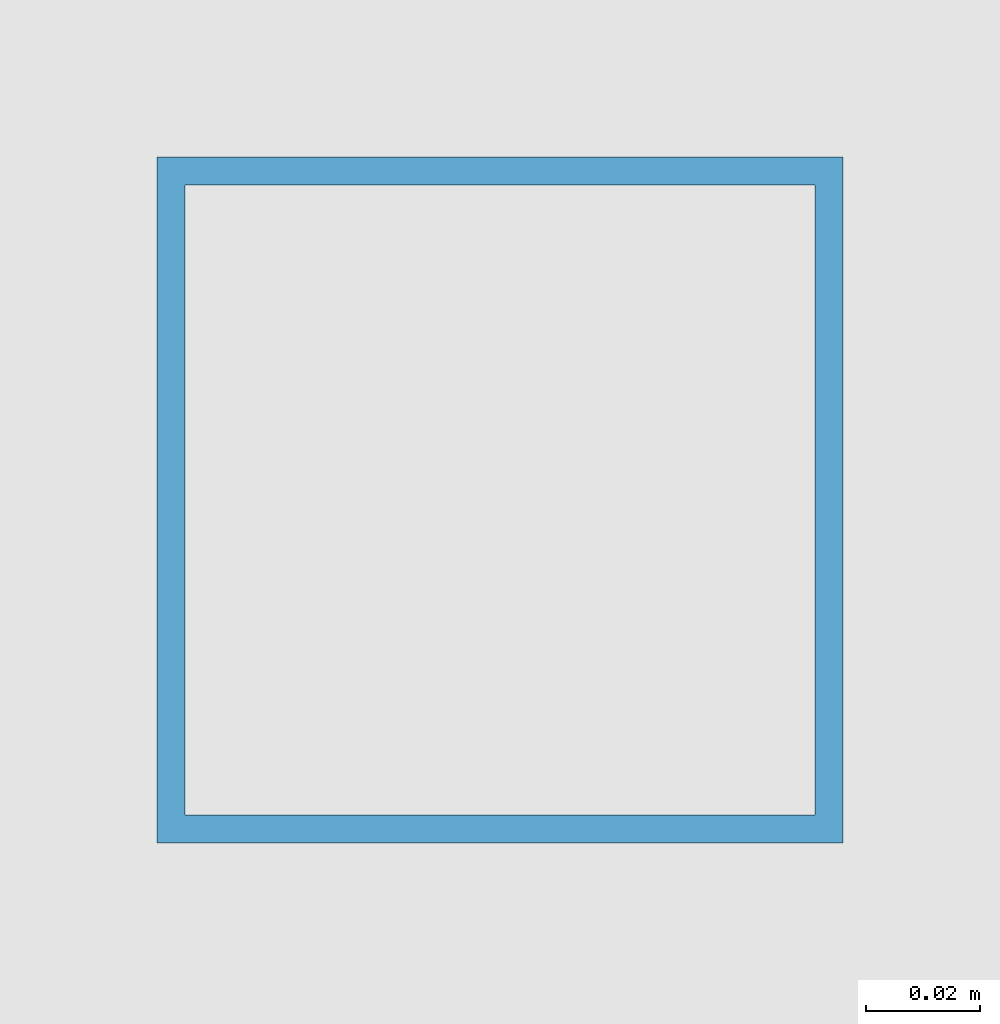
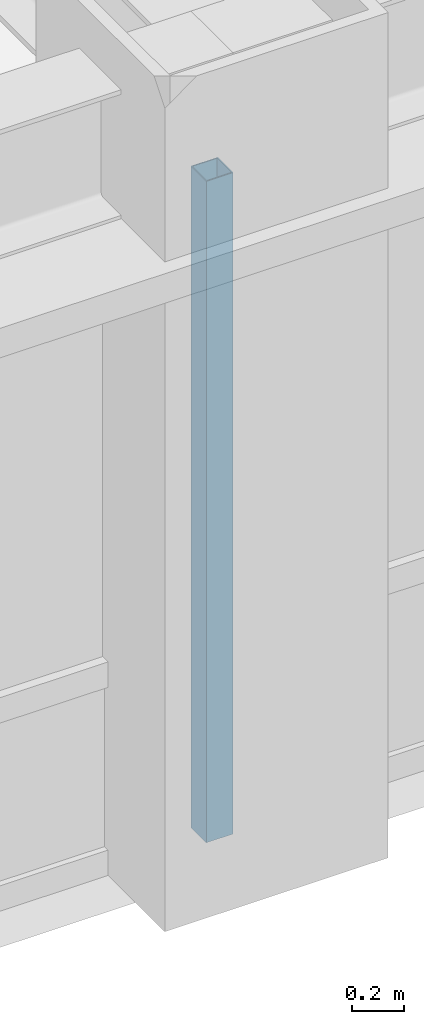
# One storey, part 4 of 29: 1 member, 1 element without a shape of its own.
"""IFC4 building model written with IfcOpenShell, lengths in metres."""

from ifc_helpers import new_model, si_unit, direction, frame, origin, origin_2d, place, context, subcontext, project, spatial, hollow_rectangle, extrude, source, transform, mapped, material, material_profile, profile_set, type_object, element, aggregate, save


model = new_model("IFC4")

# Units and contexts
model_context = context("Model", 3, precision=1e-05, world=origin(), true_north=direction((0.0, 1.0)))
body_context = subcontext(model_context, "Body", "Model", "MODEL_VIEW")
ifc_project = project(units=[si_unit("LENGTHUNIT", "METRE"), si_unit("AREAUNIT", "SQUARE_METRE"), si_unit("VOLUMEUNIT", "CUBIC_METRE"), si_unit("PLANEANGLEUNIT", "RADIAN"), si_unit("MASSUNIT", "GRAM", prefix="KILO")], contexts=[model_context])

# Site, building, storey
site_placement = place(None, origin())
site = spatial("IfcSite", under=ifc_project, at=site_placement, CompositionType="ELEMENT")
building_placement = place(site_placement, origin())
building = spatial("IfcBuilding", under=site, at=building_placement, Name="Khorayat Bourse Tower", CompositionType="ELEMENT")
storey_placement = place(building_placement, frame((0.0, 0.0, 243.10009765625)))
storey = spatial("IfcBuildingStorey", under=building, at=storey_placement, Name="L57", CompositionType="ELEMENT", Elevation=243.10009765625)

# Curtain wall, member
ifc_material = material(Name="Aluminium EN AW-6063 T6", Category="aluminium")
curtain_wall_type = type_object("IfcCurtainWallType", Name="CW-SYS-03", PredefinedType="NOTDEFINED", material=ifc_material)
curtain_wall_placement = place(storey_placement, origin())
curtain_wall = element("IfcCurtainWall", 1, at=curtain_wall_placement, inside=storey, type_object=curtain_wall_type, Name="L57 Curtain Wall CW-L57-S1", PredefinedType="NOTDEFINED")
ifc_material_profile = material_profile(ifc_material, hollow_rectangle(XDim=0.1201171875, YDim=0.1201171875, WallThickness=0.0048828125, at=origin_2d()), Name="ALU 120x120x5")
ifc_profile_set = profile_set([ifc_material_profile], Name="Aluminium EN AW-6063 T6")
member_type = type_object("IfcMemberType", Name="CWM-VERT-120", PredefinedType="MULLION", material=ifc_profile_set)
shared_shape = source(origin(), body_context, "Body", "SweptSolid", [
    extrude(hollow_rectangle(XDim=0.1201171875, YDim=0.1201171875, WallThickness=0.0048828125, at=origin_2d()), origin(), (0.0, 0.0, 1.0), 3.1298828125),
])
member_placement = place(storey_placement, frame((0.0, -30.0, 0.0), z_axis=(0.0, 0.0, 1.0), x_axis=(0.0, 1.0, 0.0)))
member = element("IfcMember", 2, at=member_placement, type_object=member_type, Name="CW-L57-S1 Vertical Mullion 2", PredefinedType="MULLION", context=body_context, shape_type="MappedRepresentation", body=[
    mapped(shared_shape, transform((0.0, 0.0, 0.0), scale=1.0)),
])
aggregate(curtain_wall, [member])

save(model, "model.ifc")
